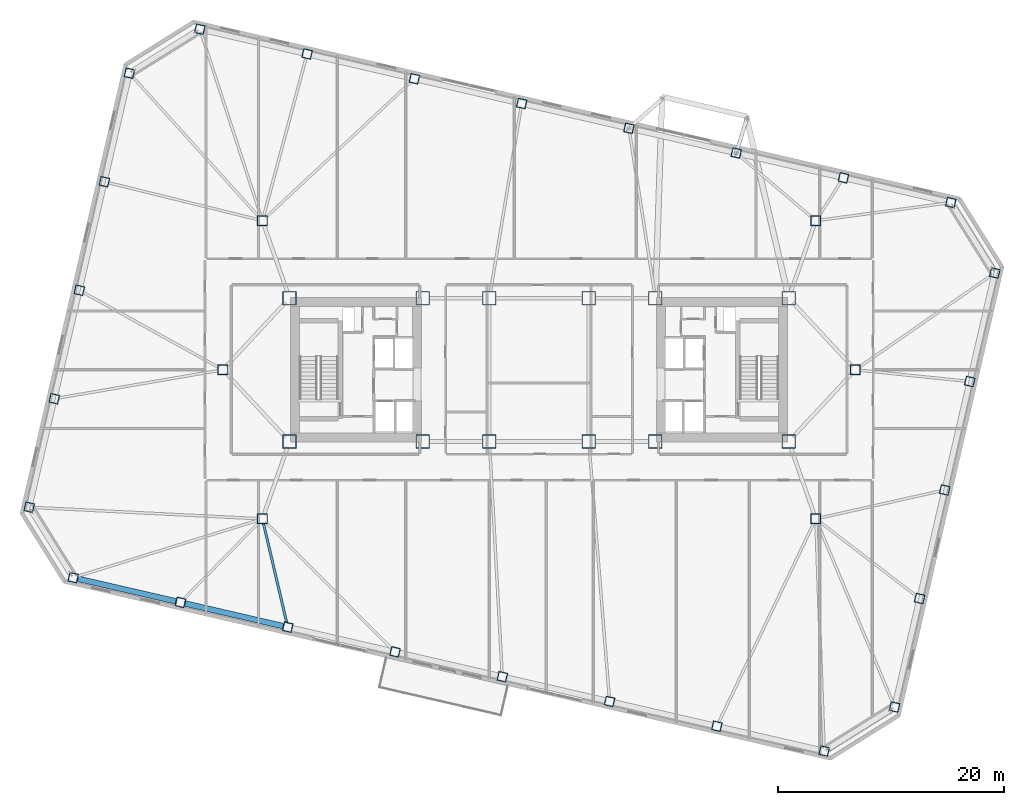
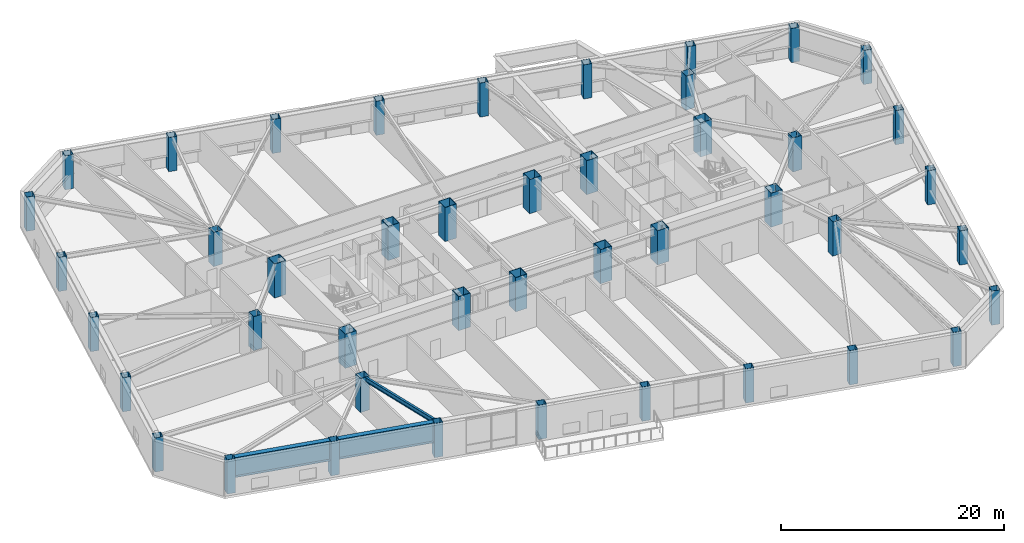
# One storey, part 1 of 21: 44 columns, 3 beams.
"""IFC4 building model written with IfcOpenShell, lengths in metres."""

from ifc_helpers import new_model, si_unit, direction, frame, origin, origin_2d, place, context, subcontext, project, spatial, hollow_rectangle, i_section, extrude, material, material_profile, profile_set, type_object, element, save


model = new_model("IFC4")

# Units and contexts
model_context = context("Model", 3, precision=1e-05, world=origin(), true_north=direction((0.0, 1.0)))
body_context = subcontext(model_context, "Body", "Model", "MODEL_VIEW")
ifc_project = project(units=[si_unit("LENGTHUNIT", "METRE"), si_unit("AREAUNIT", "SQUARE_METRE"), si_unit("VOLUMEUNIT", "CUBIC_METRE"), si_unit("PLANEANGLEUNIT", "RADIAN"), si_unit("MASSUNIT", "GRAM", prefix="KILO")], contexts=[model_context])

# Site, building, storey
site_placement = place(None, origin())
site = spatial("IfcSite", under=ifc_project, at=site_placement, CompositionType="ELEMENT")
building_placement = place(site_placement, origin())
building = spatial("IfcBuilding", under=site, at=building_placement, Name="Tavrogorsk Clinical Tower", CompositionType="ELEMENT")
storey_placement = place(building_placement, frame((0.0, 0.0, 59.39990234375)))
storey = spatial("IfcBuildingStorey", under=building, at=storey_placement, Name="L12", CompositionType="ELEMENT", Elevation=59.39990234375)

# Columns
ifc_material_1 = material(Name="Structural steel S440", Category="steel")
ifc_material_profile_1 = material_profile(ifc_material_1, hollow_rectangle(XDim=1.199951171875, YDim=1.199951171875, WallThickness=0.050048828125, at=origin_2d()), Name="BOX-1200x1200x50")
ifc_profile_set_1 = profile_set([ifc_material_profile_1], Name="Structural steel S440")
column_type_1 = type_object("IfcColumnType", Name="MegaCol_BOX1200", PredefinedType="COLUMN", material=ifc_profile_set_1)
for number, where, z_axis, x_axis, name in (
    (1, (-22.10009765625, -6.35009765625, 0.0), (0.0, 0.0, 1.0), (1.0, 0.0, 0.0), "L12 Mega Column MC-W1"),
    (2, (-22.10009765625, 6.35009765625, 0.0), (0.0, 0.0, 1.0), (1.0, 0.0, 0.0), "L12 Mega Column MC-W2"),
    (3, (-10.300048828125, -6.35009765625, 0.0), (0.0, 0.0, 1.0), (1.0, 0.0, 0.0), "L12 Mega Column MC-W3"),
    (4, (-10.300048828125, 6.35009765625, 0.0), (0.0, 0.0, 1.0), (1.0, 0.0, 0.0), "L12 Mega Column MC-W4"),
    (5, (10.300048828125, -6.35009765625, 0.0), (0.0, 0.0, 1.0), (1.0, 0.0, 0.0), "L12 Mega Column MC-E1"),
    (6, (10.300048828125, 6.35009765625, 0.0), (0.0, 0.0, 1.0), (1.0, 0.0, 0.0), "L12 Mega Column MC-E2"),
    (7, (22.10009765625, -6.35009765625, 0.0), (0.0, 0.0, 1.0), (1.0, 0.0, 0.0), "L12 Mega Column MC-E3"),
    (8, (22.10009765625, 6.35009765625, 0.0), (0.0, 0.0, 1.0), (1.0, 0.0, 0.0), "L12 Mega Column MC-E4"),
    (9, (-4.39990234375, -6.35009765625, 0.0), (0.0, 0.0, 1.0), (1.0, 0.0, 0.0), "L12 Mega Column MC-C1"),
    (10, (4.39990234375, -6.35009765625, 0.0), (0.0, 0.0, 1.0), (1.0, 0.0, 0.0), "L12 Mega Column MC-C2"),
    (11, (-4.39990234375, 6.35009765625, 0.0), (0.0, 0.0, 1.0), (1.0, 0.0, 0.0), "L12 Mega Column MC-C3"),
    (12, (4.39990234375, 6.35009765625, 0.0), (0.0, 0.0, 1.0), (1.0, 0.0, 0.0), "L12 Mega Column MC-C4"),
):
    element("IfcColumn", number, at=place(storey_placement, frame(where, z_axis=z_axis, x_axis=x_axis)), inside=storey, type_object=column_type_1, Name=name, PredefinedType="COLUMN", context=body_context, shape_type="SweptSolid", body=[
        extrude(hollow_rectangle(XDim=1.199951171875, YDim=1.199951171875, WallThickness=0.050048828125, at=origin_2d()), origin(), (0.0, 0.0, 1.0), 3.739990234375),
    ])
ifc_material_2 = material(Name="Structural steel S440", Category="steel")
ifc_material_profile_2 = material_profile(ifc_material_2, hollow_rectangle(XDim=0.89990234375, YDim=0.89990234375, WallThickness=0.0400390625, at=origin_2d()), Name="BOX-900x900x40")
ifc_profile_set_2 = profile_set([ifc_material_profile_2], Name="Structural steel S440")
column_type_2 = type_object("IfcColumnType", Name="MegaCol_BOX900", PredefinedType="COLUMN", material=ifc_profile_set_2)
for number, where, z_axis, x_axis, name in (
    (13, (-24.5, -13.199951171875, 0.0), (0.0, 0.0, 1.0), (1.0, 0.0, 0.0), "L12 Spine Pilotis Column MC-P1"),
    (14, (24.5, -13.199951171875, 0.0), (0.0, 0.0, 1.0), (1.0, 0.0, 0.0), "L12 Spine Pilotis Column MC-P2"),
    (15, (-24.5, 13.199951171875, 0.0), (0.0, 0.0, 1.0), (1.0, 0.0, 0.0), "L12 Spine Pilotis Column MC-P3"),
    (16, (24.5, 13.199951171875, 0.0), (0.0, 0.0, 1.0), (1.0, 0.0, 0.0), "L12 Spine Pilotis Column MC-P4"),
    (17, (-28.0, 0.0, 0.0), (0.0, 0.0, 1.0), (1.0, 0.0, 0.0), "L12 Spine Pilotis Column MC-P5"),
    (18, (28.0, 0.0, 0.0), (0.0, 0.0, 1.0), (1.0, 0.0, 0.0), "L12 Spine Pilotis Column MC-P6"),
):
    element("IfcColumn", number, at=place(storey_placement, frame(where, z_axis=z_axis, x_axis=x_axis)), inside=storey, type_object=column_type_2, Name=name, PredefinedType="COLUMN", context=body_context, shape_type="SweptSolid", body=[
        extrude(hollow_rectangle(XDim=0.89990234375, YDim=0.89990234375, WallThickness=0.0400390625, at=origin_2d()), origin(), (0.0, 0.0, 1.0), 3.739990234375),
    ])
ifc_material_3 = material(Name="Structural steel S440", Category="steel")
ifc_material_profile_3 = material_profile(ifc_material_3, hollow_rectangle(XDim=0.800048828125, YDim=0.800048828125, WallThickness=0.035888671875, at=origin_2d()), Name="BOX-800x800x36")
ifc_profile_set_3 = profile_set([ifc_material_profile_3], Name="Structural steel S440")
column_type_3 = type_object("IfcColumnType", Name="PerimCol_B1_BOX800", PredefinedType="COLUMN", material=ifc_profile_set_3)
for number, where, z_axis, x_axis, name in (
    (19, (-41.251220703125, -18.406005859375, 0.0), (0.0, 0.0, 1.0), (0.974370064785, -0.224951054344, 0.0), "L12 Perimeter Column S1"),
    (20, (-31.75244140625, -20.598876953125, 0.0), (0.0, 0.0, 1.0), (0.974370064785, -0.224951054344, 0.0), "L12 Perimeter Column S2"),
    (21, (-22.25390625, -22.7919921875, 0.0), (0.0, 0.0, 1.0), (0.974370064785, -0.224951054344, 0.0), "L12 Perimeter Column S3"),
    (22, (-12.755126953125, -24.98486328125, 0.0), (0.0, 0.0, 1.0), (0.974370064785, -0.224951054344, 0.0), "L12 Perimeter Column S4"),
    (23, (-3.25634765625, -27.177734375, 0.0), (0.0, 0.0, 1.0), (0.974370064785, -0.224951054344, 0.0), "L12 Perimeter Column S5"),
    (24, (6.2421875, -29.37060546875, 0.0), (0.0, 0.0, 1.0), (0.974370064785, -0.224951054344, 0.0), "L12 Perimeter Column S6"),
    (25, (15.740966796875, -31.563720703125, 0.0), (0.0, 0.0, 1.0), (0.974370064785, -0.224951054344, 0.0), "L12 Perimeter Column S7"),
    (26, (25.23974609375, -33.756591796875, 0.0), (0.0, 0.0, 1.0), (0.974370064785, -0.224951054344, 0.0), "L12 Perimeter Column S8"),
    (27, (36.451416015625, 14.805908203125, 0.0), (0.0, 0.0, 1.0), (0.974370064785, -0.224951054344, 0.0), "L12 Perimeter Column N1"),
    (28, (26.952392578125, 16.998779296875, 0.0), (0.0, 0.0, 1.0), (0.974370064785, -0.224951054344, 0.0), "L12 Perimeter Column N2"),
    (29, (17.453857421875, 19.19189453125, 0.0), (0.0, 0.0, 1.0), (0.974370064785, -0.224951054344, 0.0), "L12 Perimeter Column N3"),
    (30, (7.955078125, 21.384765625, 0.0), (0.0, 0.0, 1.0), (0.974370064785, -0.224951054344, 0.0), "L12 Perimeter Column N4"),
    (31, (-1.543701171875, 23.577880859375, 0.0), (0.0, 0.0, 1.0), (0.974370064785, -0.224951054344, 0.0), "L12 Perimeter Column N5"),
    (32, (-11.042236328125, 25.770751953125, 0.0), (0.0, 0.0, 1.0), (0.974370064785, -0.224951054344, 0.0), "L12 Perimeter Column N6"),
    (33, (-20.541015625, 27.963623046875, 0.0), (0.0, 0.0, 1.0), (0.974370064785, -0.224951054344, 0.0), "L12 Perimeter Column N7"),
    (34, (-30.039794921875, 30.156494140625, 0.0), (0.0, 0.0, 1.0), (0.974370064785, -0.224951054344, 0.0), "L12 Perimeter Column N8"),
    (35, (31.476318359375, -29.859619140625, 0.0), (0.0, 0.0, 1.0), (0.974370064785, -0.224951054344, 0.0), "L12 Perimeter Column E1"),
    (36, (33.694091796875, -20.25244140625, 0.0), (0.0, 0.0, 1.0), (0.974370064785, -0.224951054344, 0.0), "L12 Perimeter Column E2"),
    (37, (35.912109375, -10.64501953125, 0.0), (0.0, 0.0, 1.0), (0.974370064785, -0.224951054344, 0.0), "L12 Perimeter Column E3"),
    (38, (38.130126953125, -1.037841796875, 0.0), (0.0, 0.0, 1.0), (0.974370064785, -0.224951054344, 0.0), "L12 Perimeter Column E4"),
    (39, (40.348388671875, 8.569580078125, 0.0), (0.0, 0.0, 1.0), (0.974370064785, -0.224951054344, 0.0), "L12 Perimeter Column E5"),
    (40, (-36.276123046875, 26.259765625, 0.0), (0.0, 0.0, 1.0), (0.974370064785, -0.224951054344, 0.0), "L12 Perimeter Column W1"),
    (41, (-38.494140625, 16.65234375, 0.0), (0.0, 0.0, 1.0), (0.974370064785, -0.224951054344, 0.0), "L12 Perimeter Column W2"),
    (42, (-40.712158203125, 7.045166015625, 0.0), (0.0, 0.0, 1.0), (0.974370064785, -0.224951054344, 0.0), "L12 Perimeter Column W3"),
    (43, (-42.93017578125, -2.562255859375, 0.0), (0.0, 0.0, 1.0), (0.974370064785, -0.224951054344, 0.0), "L12 Perimeter Column W4"),
    (44, (-45.148193359375, -12.16943359375, 0.0), (0.0, 0.0, 1.0), (0.974370064785, -0.224951054344, 0.0), "L12 Perimeter Column W5"),
):
    element("IfcColumn", number, at=place(storey_placement, frame(where, z_axis=z_axis, x_axis=x_axis)), inside=storey, type_object=column_type_3, Name=name, PredefinedType="COLUMN", context=body_context, shape_type="SweptSolid", body=[
        extrude(hollow_rectangle(XDim=0.800048828125, YDim=0.800048828125, WallThickness=0.035888671875, at=origin_2d()), origin(), (0.0, 0.0, 1.0), 3.739990234375),
    ])

# Beams
ifc_material_4 = material(Name="Structural steel S355", Category="steel")
ifc_material_profile_4 = material_profile(ifc_material_4, i_section(OverallWidth=0.219970703125, OverallDepth=0.5, WebThickness=0.012939453125, FlangeThickness=0.02001953125, at=origin_2d()), Name="B-500x220x13x20")
ifc_profile_set_4 = profile_set([ifc_material_profile_4], Name="Structural steel S355")
beam_type_1 = type_object("IfcBeamType", Name="FloorBeam_B500", PredefinedType="BEAM", material=ifc_profile_set_4)
beam_placement = place(storey_placement, frame((-24.406494140625, -13.59912109375, 3.489990234375), z_axis=(0.227996771429, -0.973661888038, 0.0), x_axis=(0.973661888038, 0.227996771429, 0.0)))
element("IfcBeam", 45, at=beam_placement, inside=storey, type_object=beam_type_1, Name="L12 Radial Floor Beam S3", PredefinedType="BEAM", context=body_context, shape_type="SweptSolid", body=[
    extrude(i_section(OverallWidth=0.219970703125, OverallDepth=0.5, WebThickness=0.012939453125, FlangeThickness=0.02001953125, at=origin_2d()), origin(), (0.0, 0.0, 1.0), 9.033447265625),
])
ifc_material_5 = material(Name="Structural steel S440", Category="steel")
ifc_material_profile_5 = material_profile(ifc_material_5, i_section(OverallWidth=0.5, OverallDepth=2.199951171875, WebThickness=0.035888671875, FlangeThickness=0.054931640625, at=origin_2d()), Name="DK-2200x500x36x55")
ifc_profile_set_5 = profile_set([ifc_material_profile_5], Name="Structural steel S440")
beam_type_2 = type_object("IfcBeamType", Name="TransferGirder_DK2200", PredefinedType="USERDEFINED", material=ifc_profile_set_5)
for number, where, z_axis, x_axis, name in (
    (46, (-40.853759765625, -18.497802734375, 2.64013671875), (0.974372766602, -0.224939351168, 0.0), (0.224939351168, 0.974372766602, 0.0), "L12 Perimeter Spandrel S1-S2"),
    (47, (-31.35498046875, -20.690673828125, 2.64013671875), (0.974366775889, -0.224965299645, 0.0), (0.224965299645, 0.974366775889, 0.0), "L12 Perimeter Spandrel S2-S3"),
):
    element("IfcBeam", number, at=place(storey_placement, frame(where, z_axis=z_axis, x_axis=x_axis)), inside=storey, type_object=beam_type_2, Name=name, ObjectType="GIRDER", PredefinedType="USERDEFINED", context=body_context, shape_type="SweptSolid", body=[
        extrude(i_section(OverallWidth=0.5, OverallDepth=2.199951171875, WebThickness=0.035888671875, FlangeThickness=0.054931640625, at=origin_2d()), origin(), (0.0, 0.0, 1.0), 8.9326171875),
    ])

save(model, "model.ifc")
